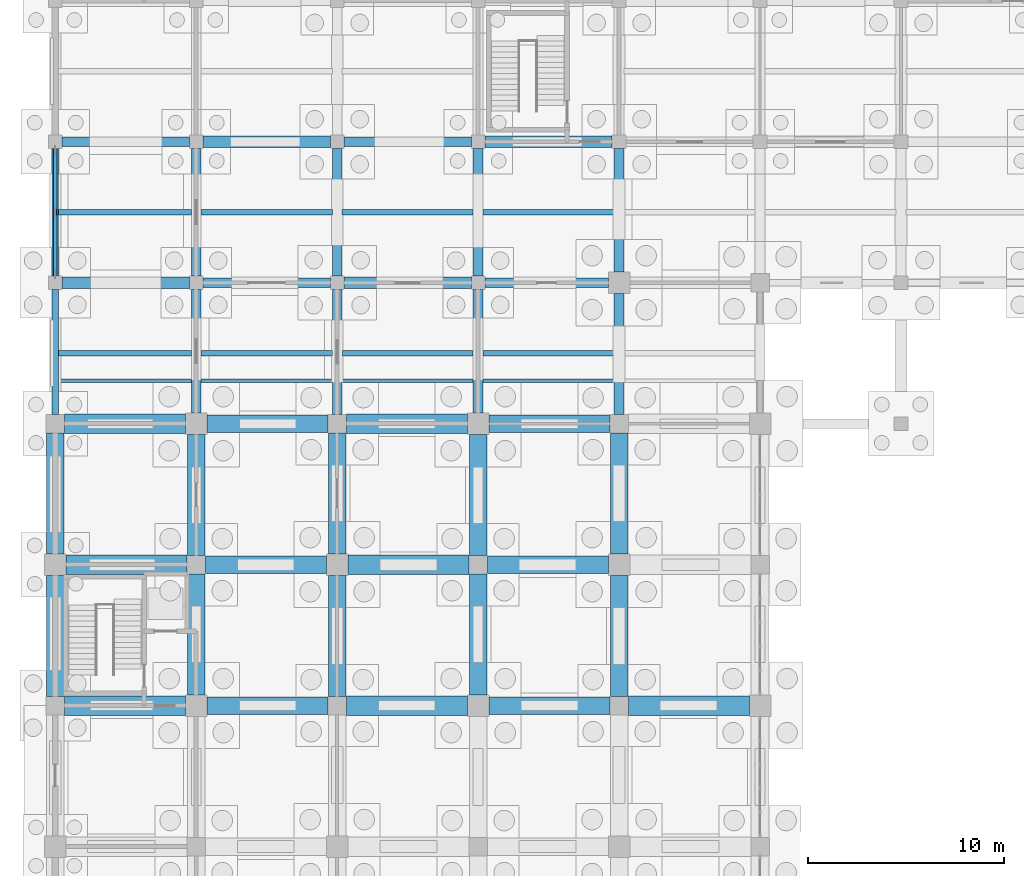
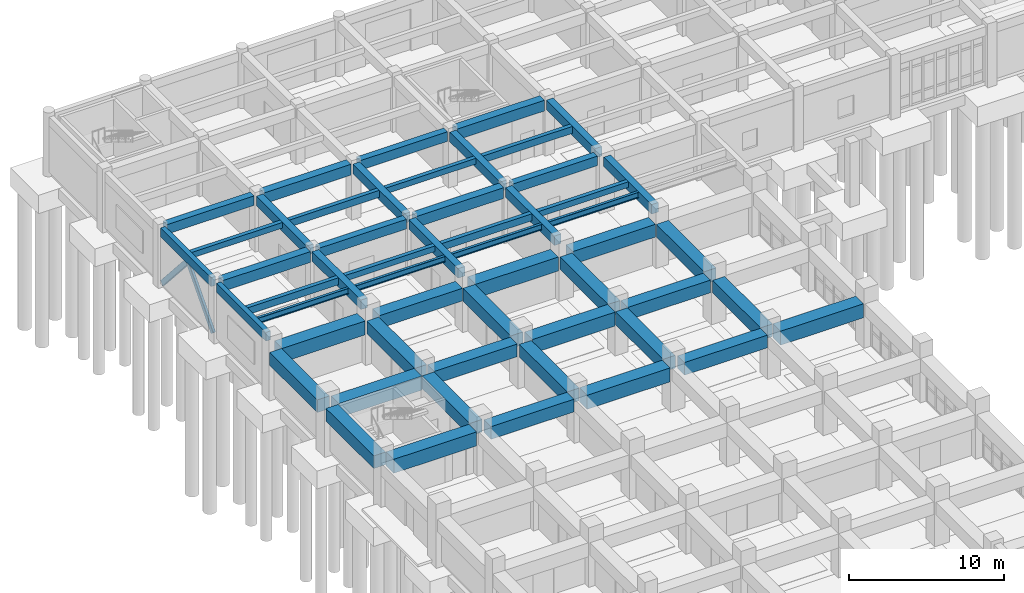
# One storey, part 27 of 79: 53 beams, 2 members.
"""IFC4 building model written with IfcOpenShell, lengths in metres."""

from ifc_helpers import new_model, si_unit, direction, frame, origin, origin_2d, place, context, subcontext, project, spatial, rectangle, hollow_rectangle, i_section, extrude, material, material_profile, profile_set, type_object, element, save


model = new_model("IFC4")

# Units and contexts
model_context = context("Model", 3, precision=1e-05, world=origin(), true_north=direction((0.0, 1.0)))
body_context = subcontext(model_context, "Body", "Model", "MODEL_VIEW")
ifc_project = project(units=[si_unit("LENGTHUNIT", "METRE"), si_unit("AREAUNIT", "SQUARE_METRE"), si_unit("VOLUMEUNIT", "CUBIC_METRE"), si_unit("PLANEANGLEUNIT", "RADIAN"), si_unit("MASSUNIT", "GRAM", prefix="KILO")], contexts=[model_context])

# Site, building, storey
site_placement = place(None, origin())
site = spatial("IfcSite", under=ifc_project, at=site_placement, CompositionType="ELEMENT")
building_placement = place(site_placement, origin())
building = spatial("IfcBuilding", under=site, at=building_placement, Name="Kavelor Marine Aquarium", CompositionType="ELEMENT")
storey_placement = place(building_placement, origin())
storey = spatial("IfcBuildingStorey", under=building, at=storey_placement, Name="L00", CompositionType="ELEMENT", Elevation=0.0)

# Beams
ifc_material_1 = material(Name="Concrete C40/50", Category="concrete")
ifc_material_profile_1 = material_profile(ifc_material_1, rectangle(XDim=0.60009765625, YDim=0.85009765625, at=origin_2d()), Name="RC-BM 600x850")
ifc_profile_set_1 = profile_set([ifc_material_profile_1], Name="Concrete C40/50")
beam_type_1 = type_object("IfcBeamType", Name="BM-B1", PredefinedType="BEAM", material=ifc_profile_set_1)
for number, where, z_axis, x_axis, name in (
    (1, (3.550048828125, 89.199951171875, 3.955078125), (1.0, 0.0, 0.0), (0.0, 1.0, 0.0), "bm:x:L00:L01:00_12"),
    (2, (10.75, 96.39990234375, 3.955078125), (1.0, 0.0, 0.0), (0.0, 1.0, 0.0), "bm:x:L00:L01:01_13"),
    (3, (17.949951171875, 89.199951171875, 3.955078125), (1.0, 0.0, 0.0), (0.0, 1.0, 0.0), "bm:x:L00:L01:02_12"),
    (4, (25.14990234375, 96.39990234375, 3.955078125), (1.0, 0.0, 0.0), (0.0, 1.0, 0.0), "bm:x:L00:L01:03_13"),
):
    element("IfcBeam", number, at=place(storey_placement, frame(where, z_axis=z_axis, x_axis=x_axis)), inside=storey, type_object=beam_type_1, Name=name, PredefinedType="BEAM", context=body_context, shape_type="SweptSolid", body=[
        extrude(rectangle(XDim=0.60009765625, YDim=0.85009765625, at=origin_2d()), origin(), (0.0, 0.0, 1.0), 6.5),
    ])
ifc_material_2 = material(Name="Concrete C40/50", Category="concrete")
ifc_material_profile_2 = material_profile(ifc_material_2, rectangle(XDim=0.5, YDim=0.75, at=origin_2d()), Name="RC-BM 500x750")
ifc_profile_set_2 = profile_set([ifc_material_profile_2], Name="Concrete C40/50")
beam_type_2 = type_object("IfcBeamType", Name="BM-B2", PredefinedType="BEAM", material=ifc_profile_set_2)
for number, where, z_axis, x_axis, name in (
    (5, (3.550048828125, 96.39990234375, 4.0048828125), (1.0, 0.0, 0.0), (0.0, 1.0, 0.0), "bm:x:L00:L01:00_13"),
    (6, (10.75, 89.199951171875, 4.0048828125), (1.0, 0.0, 0.0), (0.0, 1.0, 0.0), "bm:x:L00:L01:01_12"),
    (7, (17.949951171875, 96.39990234375, 4.0048828125), (1.0, 0.0, 0.0), (0.0, 1.0, 0.0), "bm:x:L00:L01:02_13"),
):
    element("IfcBeam", number, at=place(storey_placement, frame(where, z_axis=z_axis, x_axis=x_axis)), inside=storey, type_object=beam_type_2, Name=name, PredefinedType="BEAM", context=body_context, shape_type="SweptSolid", body=[
        extrude(rectangle(XDim=0.5, YDim=0.75, at=origin_2d()), origin(), (0.0, 0.0, 1.0), 6.5),
    ])
for number, where, z_axis, x_axis, name in (
    (8, (25.14990234375, 89.199951171875, 4.0048828125), (1.0, 0.0, 0.0), (0.0, 1.0, 0.0), "bm:x:L00:L01:03_12"),
    (9, (10.39990234375, 82.550048828125, 4.0048828125), (0.0, 1.0, 0.0), (-1.0, 0.0, 0.0), "bm:y:L00:L01:01_11"),
):
    element("IfcBeam", number, at=place(storey_placement, frame(where, z_axis=z_axis, x_axis=x_axis)), inside=storey, type_object=beam_type_2, Name=name, PredefinedType="BEAM", context=body_context, shape_type="SweptSolid", body=[
        extrude(rectangle(XDim=0.5, YDim=0.75, at=origin_2d()), origin(), (0.0, 0.0, 1.0), 6.300048828125),
    ])
beam_1_placement = place(storey_placement, frame((10.39990234375, 89.550048828125, 4.0048828125), z_axis=(0.0, 1.0, 0.0), x_axis=(-1.0, 0.0, 0.0)))
element("IfcBeam", 10, at=beam_1_placement, inside=storey, type_object=beam_type_2, Name="bm:y:L00:L01:01_12", PredefinedType="BEAM", context=body_context, shape_type="SweptSolid", body=[
    extrude(rectangle(XDim=0.5, YDim=0.75, at=origin_2d()), origin(), (0.0, 0.0, 1.0), 6.5),
])
beam_2_placement = place(storey_placement, frame((17.60009765625, 82.47509765625, 4.0048828125), z_axis=(0.0, 1.0, 0.0), x_axis=(-1.0, 0.0, 0.0)))
element("IfcBeam", 11, at=beam_2_placement, inside=storey, type_object=beam_type_2, Name="bm:y:L00:L01:02_11", PredefinedType="BEAM", context=body_context, shape_type="SweptSolid", body=[
    extrude(rectangle(XDim=0.5, YDim=0.75, at=origin_2d()), origin(), (0.0, 0.0, 1.0), 6.375),
])
beam_3_placement = place(storey_placement, frame((17.60009765625, 89.550048828125, 4.0048828125), z_axis=(0.0, 1.0, 0.0), x_axis=(-1.0, 0.0, 0.0)))
element("IfcBeam", 12, at=beam_3_placement, inside=storey, type_object=beam_type_2, Name="bm:y:L00:L01:02_12", PredefinedType="BEAM", context=body_context, shape_type="SweptSolid", body=[
    extrude(rectangle(XDim=0.5, YDim=0.75, at=origin_2d()), origin(), (0.0, 0.0, 1.0), 6.5),
])
beam_4_placement = place(storey_placement, frame((24.800048828125, 82.550048828125, 4.0048828125), z_axis=(0.0, 1.0, 0.0), x_axis=(-1.0, 0.0, 0.0)))
element("IfcBeam", 13, at=beam_4_placement, inside=storey, type_object=beam_type_2, Name="bm:y:L00:L01:03_11", PredefinedType="BEAM", context=body_context, shape_type="SweptSolid", body=[
    extrude(rectangle(XDim=0.5, YDim=0.75, at=origin_2d()), origin(), (0.0, 0.0, 1.0), 6.300048828125),
])
beam_5_placement = place(storey_placement, frame((24.800048828125, 89.550048828125, 4.0048828125), z_axis=(0.0, 1.0, 0.0), x_axis=(-1.0, 0.0, 0.0)))
element("IfcBeam", 14, at=beam_5_placement, inside=storey, type_object=beam_type_2, Name="bm:y:L00:L01:03_12", PredefinedType="BEAM", context=body_context, shape_type="SweptSolid", body=[
    extrude(rectangle(XDim=0.5, YDim=0.75, at=origin_2d()), origin(), (0.0, 0.0, 1.0), 6.5),
])
beam_6_placement = place(storey_placement, frame((32.0, 82.47509765625, 4.0048828125), z_axis=(0.0, 1.0, 0.0), x_axis=(-1.0, 0.0, 0.0)))
element("IfcBeam", 15, at=beam_6_placement, inside=storey, type_object=beam_type_2, Name="bm:y:L00:L01:04_11", PredefinedType="BEAM", context=body_context, shape_type="SweptSolid", body=[
    extrude(rectangle(XDim=0.5, YDim=0.75, at=origin_2d()), origin(), (0.0, 0.0, 1.0), 6.1748046875),
])
beam_7_placement = place(storey_placement, frame((32.0, 89.75, 4.0048828125), z_axis=(0.0, 1.0, 0.0), x_axis=(-1.0, 0.0, 0.0)))
element("IfcBeam", 16, at=beam_7_placement, inside=storey, type_object=beam_type_2, Name="bm:y:L00:L01:04_12", PredefinedType="BEAM", context=body_context, shape_type="SweptSolid", body=[
    extrude(rectangle(XDim=0.5, YDim=0.75, at=origin_2d()), origin(), (0.0, 0.0, 1.0), 6.300048828125),
])
ifc_material_3 = material(Name="Concrete C40/50", Category="concrete")
ifc_material_profile_3 = material_profile(ifc_material_3, rectangle(XDim=0.300048828125, YDim=0.449951171875, at=origin_2d()), Name="RC-JS 300x450")
ifc_profile_set_3 = profile_set([ifc_material_profile_3], Name="Concrete C40/50")
beam_type_3 = type_object("IfcBeamType", Name="BM-JS1", PredefinedType="JOIST", material=ifc_profile_set_3)
beam_8_placement = place(storey_placement, frame((3.375, 92.800048828125, 4.155029296875), z_axis=(1.0, 0.0, 0.0), x_axis=(0.0, 1.0, 0.0)))
element("IfcBeam", 17, at=beam_8_placement, inside=storey, type_object=beam_type_3, Name="js:L00:L01:00_12", PredefinedType="JOIST", context=body_context, shape_type="SweptSolid", body=[
    extrude(rectangle(XDim=0.300048828125, YDim=0.449951171875, at=origin_2d()), origin(), (0.0, 0.0, 1.0), 6.77490234375),
])
beam_9_placement = place(storey_placement, frame((10.64990234375, 85.60009765625, 4.155029296875), z_axis=(1.0, 0.0, 0.0), x_axis=(0.0, 1.0, 0.0)))
element("IfcBeam", 18, at=beam_9_placement, inside=storey, type_object=beam_type_3, Name="js:L00:L01:01_11", PredefinedType="JOIST", context=body_context, shape_type="SweptSolid", body=[
    extrude(rectangle(XDim=0.300048828125, YDim=0.449951171875, at=origin_2d()), origin(), (0.0, 0.0, 1.0), 6.7001953125),
])
for number, where, z_axis, x_axis, name in (
    (19, (17.85009765625, 92.800048828125, 4.155029296875), (1.0, 0.0, 0.0), (0.0, 1.0, 0.0), "js:L00:L01:02_12"),
    (20, (25.050048828125, 85.60009765625, 4.155029296875), (1.0, 0.0, 0.0), (0.0, 1.0, 0.0), "js:L00:L01:03_11"),
):
    element("IfcBeam", number, at=place(storey_placement, frame(where, z_axis=z_axis, x_axis=x_axis)), inside=storey, type_object=beam_type_3, Name=name, PredefinedType="JOIST", context=body_context, shape_type="SweptSolid", body=[
        extrude(rectangle(XDim=0.300048828125, YDim=0.449951171875, at=origin_2d()), origin(), (0.0, 0.0, 1.0), 6.699951171875),
    ])
ifc_material_4 = material(Name="Concrete C40/50", Category="concrete")
ifc_material_profile_4 = material_profile(ifc_material_4, rectangle(XDim=0.300048828125, YDim=0.550048828125, at=origin_2d()), Name="RC-JS 300x550")
ifc_profile_set_4 = profile_set([ifc_material_profile_4], Name="Concrete C40/50")
beam_type_4 = type_object("IfcBeamType", Name="BM-JS2", PredefinedType="JOIST", material=ifc_profile_set_4)
beam_10_placement = place(storey_placement, frame((3.375, 85.60009765625, 4.10498046875), z_axis=(1.0, 0.0, 0.0), x_axis=(0.0, 1.0, 0.0)))
element("IfcBeam", 21, at=beam_10_placement, inside=storey, type_object=beam_type_4, Name="js:L00:L01:00_11", PredefinedType="JOIST", context=body_context, shape_type="SweptSolid", body=[
    extrude(rectangle(XDim=0.300048828125, YDim=0.550048828125, at=origin_2d()), origin(), (0.0, 0.0, 1.0), 6.77490234375),
])
beam_11_placement = place(storey_placement, frame((10.64990234375, 92.800048828125, 4.10498046875), z_axis=(1.0, 0.0, 0.0), x_axis=(0.0, 1.0, 0.0)))
element("IfcBeam", 22, at=beam_11_placement, inside=storey, type_object=beam_type_4, Name="js:L00:L01:01_12", PredefinedType="JOIST", context=body_context, shape_type="SweptSolid", body=[
    extrude(rectangle(XDim=0.300048828125, YDim=0.550048828125, at=origin_2d()), origin(), (0.0, 0.0, 1.0), 6.7001953125),
])
for number, where, z_axis, x_axis, name in (
    (23, (17.85009765625, 85.60009765625, 4.10498046875), (1.0, 0.0, 0.0), (0.0, 1.0, 0.0), "js:L00:L01:02_11"),
    (24, (25.050048828125, 92.800048828125, 4.10498046875), (1.0, 0.0, 0.0), (0.0, 1.0, 0.0), "js:L00:L01:03_12"),
):
    element("IfcBeam", number, at=place(storey_placement, frame(where, z_axis=z_axis, x_axis=x_axis)), inside=storey, type_object=beam_type_4, Name=name, PredefinedType="JOIST", context=body_context, shape_type="SweptSolid", body=[
        extrude(rectangle(XDim=0.300048828125, YDim=0.550048828125, at=origin_2d()), origin(), (0.0, 0.0, 1.0), 6.699951171875),
    ])
ifc_material_5 = material(Name="Steel S355", Category="steel")
ifc_material_profile_5 = material_profile(ifc_material_5, i_section(OverallWidth=0.19140625, OverallDepth=0.4599609375, WebThickness=0.010009765625, FlangeThickness=0.01611328125, FilletRadius=0.01025390625, at=origin_2d()), Name="UKB 457x191x82")
ifc_profile_set_5 = profile_set([ifc_material_profile_5], Name="Steel S355")
beam_type_5 = type_object("IfcBeamType", Name="BM-SB7", PredefinedType="BEAM", material=ifc_profile_set_5)
beam_12_placement = place(storey_placement, frame((3.375, 84.199951171875, 4.14990234375), z_axis=(1.0, 0.0, 0.0), x_axis=(0.0, 1.0, 0.0)))
element("IfcBeam", 25, at=beam_12_placement, inside=storey, type_object=beam_type_5, Name="bm:hoist:4:00", PredefinedType="BEAM", context=body_context, shape_type="SweptSolid", body=[
    extrude(i_section(OverallWidth=0.19140625, OverallDepth=0.4599609375, WebThickness=0.010009765625, FlangeThickness=0.01611328125, FilletRadius=0.01025390625, at=origin_2d()), origin(), (0.0, 0.0, 1.0), 6.77490234375),
])
beam_13_placement = place(storey_placement, frame((10.64990234375, 84.199951171875, 4.14990234375), z_axis=(1.0, 0.0, 0.0), x_axis=(0.0, 1.0, 0.0)))
element("IfcBeam", 26, at=beam_13_placement, inside=storey, type_object=beam_type_5, Name="bm:hoist:4:01", PredefinedType="BEAM", context=body_context, shape_type="SweptSolid", body=[
    extrude(i_section(OverallWidth=0.19140625, OverallDepth=0.4599609375, WebThickness=0.010009765625, FlangeThickness=0.01611328125, FilletRadius=0.01025390625, at=origin_2d()), origin(), (0.0, 0.0, 1.0), 6.7001953125),
])
for number, where, z_axis, x_axis, name in (
    (27, (17.85009765625, 84.199951171875, 4.14990234375), (1.0, 0.0, 0.0), (0.0, 1.0, 0.0), "bm:hoist:4:02"),
    (28, (25.050048828125, 84.199951171875, 4.14990234375), (1.0, 0.0, 0.0), (0.0, 1.0, 0.0), "bm:hoist:4:03"),
):
    element("IfcBeam", number, at=place(storey_placement, frame(where, z_axis=z_axis, x_axis=x_axis)), inside=storey, type_object=beam_type_5, Name=name, PredefinedType="BEAM", context=body_context, shape_type="SweptSolid", body=[
        extrude(i_section(OverallWidth=0.19140625, OverallDepth=0.4599609375, WebThickness=0.010009765625, FlangeThickness=0.01611328125, FilletRadius=0.01025390625, at=origin_2d()), origin(), (0.0, 0.0, 1.0), 6.699951171875),
    ])
ifc_material_6 = material(Name="Concrete C40/50", Category="concrete")
ifc_material_profile_6 = material_profile(ifc_material_6, rectangle(XDim=0.35009765625, YDim=0.699951171875, at=origin_2d()), Name="RC-SP 350x700")
ifc_profile_set_6 = profile_set([ifc_material_profile_6], Name="Concrete C40/50")
beam_type_6 = type_object("IfcBeamType", Name="BM-SP1", PredefinedType="SPANDREL", material=ifc_profile_set_6)
beam_14_placement = place(storey_placement, frame((3.199951171875, 82.47509765625, 4.030029296875), z_axis=(0.0, 1.0, 0.0), x_axis=(-1.0, 0.0, 0.0)))
element("IfcBeam", 29, at=beam_14_placement, inside=storey, type_object=beam_type_6, Name="bm:y:L00:L01:00_11", PredefinedType="SPANDREL", context=body_context, shape_type="SweptSolid", body=[
    extrude(rectangle(XDim=0.35009765625, YDim=0.699951171875, at=origin_2d()), origin(), (0.0, 0.0, 1.0), 6.375),
])
beam_15_placement = place(storey_placement, frame((3.199951171875, 89.550048828125, 4.030029296875), z_axis=(0.0, 1.0, 0.0), x_axis=(-1.0, 0.0, 0.0)))
element("IfcBeam", 30, at=beam_15_placement, inside=storey, type_object=beam_type_6, Name="bm:y:L00:L01:00_12", PredefinedType="SPANDREL", context=body_context, shape_type="SweptSolid", body=[
    extrude(rectangle(XDim=0.35009765625, YDim=0.699951171875, at=origin_2d()), origin(), (0.0, 0.0, 1.0), 6.5),
])
ifc_material_7 = material(Name="Concrete C45/55", Category="concrete")
ifc_material_profile_7 = material_profile(ifc_material_7, rectangle(XDim=1.0, YDim=1.10009765625, at=origin_2d()), Name="RC-TG 1000x1100")
ifc_profile_set_7 = profile_set([ifc_material_profile_7], Name="Concrete C45/55")
beam_type_7 = type_object("IfcBeamType", Name="BM-TG1", PredefinedType="BEAM", material=ifc_profile_set_7)
for number, where, z_axis, x_axis, name in (
    (31, (3.675048828125, 67.60009765625, 2.929931640625), (1.0, 0.0, 0.0), (0.0, 1.0, 0.0), "bm:x:L00:L01:00_09"),
    (32, (3.75, 74.800048828125, 2.929931640625), (1.0, 0.0, 0.0), (0.0, 1.0, 0.0), "bm:x:L00:L01:00_10"),
    (33, (3.675048828125, 82.0, 2.929931640625), (1.0, 0.0, 0.0), (0.0, 1.0, 0.0), "bm:x:L00:L01:00_11"),
    (34, (18.074951171875, 67.60009765625, 2.929931640625), (1.0, 0.0, 0.0), (0.0, 1.0, 0.0), "bm:x:L00:L01:02_09"),
    (35, (18.14990234375, 74.800048828125, 2.929931640625), (1.0, 0.0, 0.0), (0.0, 1.0, 0.0), "bm:x:L00:L01:02_10"),
    (36, (18.074951171875, 82.0, 2.929931640625), (1.0, 0.0, 0.0), (0.0, 1.0, 0.0), "bm:x:L00:L01:02_11"),
):
    element("IfcBeam", number, at=place(storey_placement, frame(where, z_axis=z_axis, x_axis=x_axis)), inside=storey, type_object=beam_type_7, Name=name, PredefinedType="BEAM", context=body_context, shape_type="SweptSolid", body=[
        extrude(rectangle(XDim=1.0, YDim=1.10009765625, at=origin_2d()), origin(), (0.0, 0.0, 1.0), 6.175048828125),
    ])
beam_16_placement = place(storey_placement, frame((32.47509765625, 67.60009765625, 2.929931640625), z_axis=(1.0, 0.0, 0.0), x_axis=(0.0, 1.0, 0.0)))
element("IfcBeam", 37, at=beam_16_placement, inside=storey, type_object=beam_type_7, Name="bm:x:L00:L01:04_09", PredefinedType="BEAM", context=body_context, shape_type="SweptSolid", body=[
    extrude(rectangle(XDim=1.0, YDim=1.10009765625, at=origin_2d()), origin(), (0.0, 0.0, 1.0), 6.1748046875),
])
ifc_material_8 = material(Name="Concrete C45/55", Category="concrete")
ifc_material_profile_8 = material_profile(ifc_material_8, rectangle(XDim=0.89990234375, YDim=1.0, at=origin_2d()), Name="RC-TG 900x1000")
ifc_profile_set_8 = profile_set([ifc_material_profile_8], Name="Concrete C45/55")
beam_type_8 = type_object("IfcBeamType", Name="BM-TG2", PredefinedType="BEAM", material=ifc_profile_set_8)
for number, where, z_axis, x_axis, name in (
    (38, (10.949951171875, 67.60009765625, 2.97998046875), (1.0, 0.0, 0.0), (0.0, 1.0, 0.0), "bm:x:L00:L01:01_09"),
    (39, (10.875, 74.800048828125, 2.97998046875), (1.0, 0.0, 0.0), (0.0, 1.0, 0.0), "bm:x:L00:L01:01_10"),
    (40, (10.949951171875, 82.0, 2.97998046875), (1.0, 0.0, 0.0), (0.0, 1.0, 0.0), "bm:x:L00:L01:01_11"),
):
    element("IfcBeam", number, at=place(storey_placement, frame(where, z_axis=z_axis, x_axis=x_axis)), inside=storey, type_object=beam_type_8, Name=name, PredefinedType="BEAM", context=body_context, shape_type="SweptSolid", body=[
        extrude(rectangle(XDim=0.89990234375, YDim=1.0, at=origin_2d()), origin(), (0.0, 0.0, 1.0), 6.175048828125),
    ])
beam_17_placement = place(storey_placement, frame((25.35009765625, 67.60009765625, 2.97998046875), z_axis=(1.0, 0.0, 0.0), x_axis=(0.0, 1.0, 0.0)))
element("IfcBeam", 41, at=beam_17_placement, inside=storey, type_object=beam_type_8, Name="bm:x:L00:L01:03_09", PredefinedType="BEAM", context=body_context, shape_type="SweptSolid", body=[
    extrude(rectangle(XDim=0.89990234375, YDim=1.0, at=origin_2d()), origin(), (0.0, 0.0, 1.0), 6.1748046875),
])
beam_18_placement = place(storey_placement, frame((25.27490234375, 74.800048828125, 2.97998046875), z_axis=(1.0, 0.0, 0.0), x_axis=(0.0, 1.0, 0.0)))
element("IfcBeam", 42, at=beam_18_placement, inside=storey, type_object=beam_type_8, Name="bm:x:L00:L01:03_10", PredefinedType="BEAM", context=body_context, shape_type="SweptSolid", body=[
    extrude(rectangle(XDim=0.89990234375, YDim=1.0, at=origin_2d()), origin(), (0.0, 0.0, 1.0), 6.175048828125),
])
beam_19_placement = place(storey_placement, frame((25.35009765625, 82.0, 2.97998046875), z_axis=(1.0, 0.0, 0.0), x_axis=(0.0, 1.0, 0.0)))
element("IfcBeam", 43, at=beam_19_placement, inside=storey, type_object=beam_type_8, Name="bm:x:L00:L01:03_11", PredefinedType="BEAM", context=body_context, shape_type="SweptSolid", body=[
    extrude(rectangle(XDim=0.89990234375, YDim=1.0, at=origin_2d()), origin(), (0.0, 0.0, 1.0), 6.1748046875),
])
beam_20_placement = place(storey_placement, frame((3.199951171875, 68.074951171875, 2.97998046875), z_axis=(0.0, 1.0, 0.0), x_axis=(-1.0, 0.0, 0.0)))
element("IfcBeam", 44, at=beam_20_placement, inside=storey, type_object=beam_type_8, Name="bm:y:L00:L01:00_09", PredefinedType="BEAM", context=body_context, shape_type="SweptSolid", body=[
    extrude(rectangle(XDim=0.89990234375, YDim=1.0, at=origin_2d()), origin(), (0.0, 0.0, 1.0), 6.175048828125),
])
beam_21_placement = place(storey_placement, frame((3.199951171875, 75.35009765625, 2.97998046875), z_axis=(0.0, 1.0, 0.0), x_axis=(-1.0, 0.0, 0.0)))
element("IfcBeam", 45, at=beam_21_placement, inside=storey, type_object=beam_type_8, Name="bm:y:L00:L01:00_10", PredefinedType="BEAM", context=body_context, shape_type="SweptSolid", body=[
    extrude(rectangle(XDim=0.89990234375, YDim=1.0, at=origin_2d()), origin(), (0.0, 0.0, 1.0), 6.1748046875),
])
for number, where, z_axis, x_axis, name in (
    (46, (10.39990234375, 68.14990234375, 2.97998046875), (0.0, 1.0, 0.0), (-1.0, 0.0, 0.0), "bm:y:L00:L01:01_09"),
    (47, (10.39990234375, 75.27490234375, 2.97998046875), (0.0, 1.0, 0.0), (-1.0, 0.0, 0.0), "bm:y:L00:L01:01_10"),
    (48, (17.60009765625, 68.074951171875, 2.97998046875), (0.0, 1.0, 0.0), (-1.0, 0.0, 0.0), "bm:y:L00:L01:02_09"),
):
    element("IfcBeam", number, at=place(storey_placement, frame(where, z_axis=z_axis, x_axis=x_axis)), inside=storey, type_object=beam_type_8, Name=name, PredefinedType="BEAM", context=body_context, shape_type="SweptSolid", body=[
        extrude(rectangle(XDim=0.89990234375, YDim=1.0, at=origin_2d()), origin(), (0.0, 0.0, 1.0), 6.175048828125),
    ])
beam_22_placement = place(storey_placement, frame((17.60009765625, 75.35009765625, 2.97998046875), z_axis=(0.0, 1.0, 0.0), x_axis=(-1.0, 0.0, 0.0)))
element("IfcBeam", 49, at=beam_22_placement, inside=storey, type_object=beam_type_8, Name="bm:y:L00:L01:02_10", PredefinedType="BEAM", context=body_context, shape_type="SweptSolid", body=[
    extrude(rectangle(XDim=0.89990234375, YDim=1.0, at=origin_2d()), origin(), (0.0, 0.0, 1.0), 6.1748046875),
])
for number, where, z_axis, x_axis, name in (
    (50, (24.800048828125, 68.14990234375, 2.97998046875), (0.0, 1.0, 0.0), (-1.0, 0.0, 0.0), "bm:y:L00:L01:03_09"),
    (51, (24.800048828125, 75.27490234375, 2.97998046875), (0.0, 1.0, 0.0), (-1.0, 0.0, 0.0), "bm:y:L00:L01:03_10"),
    (52, (32.0, 68.074951171875, 2.97998046875), (0.0, 1.0, 0.0), (-1.0, 0.0, 0.0), "bm:y:L00:L01:04_09"),
):
    element("IfcBeam", number, at=place(storey_placement, frame(where, z_axis=z_axis, x_axis=x_axis)), inside=storey, type_object=beam_type_8, Name=name, PredefinedType="BEAM", context=body_context, shape_type="SweptSolid", body=[
        extrude(rectangle(XDim=0.89990234375, YDim=1.0, at=origin_2d()), origin(), (0.0, 0.0, 1.0), 6.175048828125),
    ])
beam_23_placement = place(storey_placement, frame((32.0, 75.35009765625, 2.97998046875), z_axis=(0.0, 1.0, 0.0), x_axis=(-1.0, 0.0, 0.0)))
element("IfcBeam", 53, at=beam_23_placement, inside=storey, type_object=beam_type_8, Name="bm:y:L00:L01:04_10", PredefinedType="BEAM", context=body_context, shape_type="SweptSolid", body=[
    extrude(rectangle(XDim=0.89990234375, YDim=1.0, at=origin_2d()), origin(), (0.0, 0.0, 1.0), 6.1748046875),
])

# Members
ifc_material_9 = material(Name="Steel S355", Category="steel")
ifc_material_profile_9 = material_profile(ifc_material_9, hollow_rectangle(XDim=0.199951171875, YDim=0.39990234375, WallThickness=0.012451171875, InnerFilletRadius=0.018798828125, OuterFilletRadius=0.03125, at=origin_2d()), Name="RHS 400x200x12.5")
ifc_profile_set_9 = profile_set([ifc_material_profile_9], Name="Steel S355")
member_type = type_object("IfcMemberType", Name="ST-BR5", PredefinedType="BRACE", material=ifc_profile_set_9)
for number, where, z_axis, x_axis, name in (
    (54, (3.199951171875, 89.550048828125, 0.0), (0.0, 0.661965302768, 0.749534480816), (-1.0, 0.0, 0.0), "sbr:a:0"),
    (55, (3.199951171875, 96.050048828125, 0.0), (0.0, -0.661965302768, 0.749534480816), (1.0, 0.0, 0.0), "sbr:b:0"),
):
    element("IfcMember", number, at=place(storey_placement, frame(where, z_axis=z_axis, x_axis=x_axis)), inside=storey, type_object=member_type, Name=name, PredefinedType="BRACE", context=body_context, shape_type="SweptSolid", body=[
        extrude(hollow_rectangle(XDim=0.199951171875, YDim=0.39990234375, WallThickness=0.012451171875, InnerFilletRadius=0.018798828125, OuterFilletRadius=0.03125, at=origin_2d()), origin(), (0.0, 0.0, 1.0), 4.90966796875),
    ])

save(model, "model.ifc")
